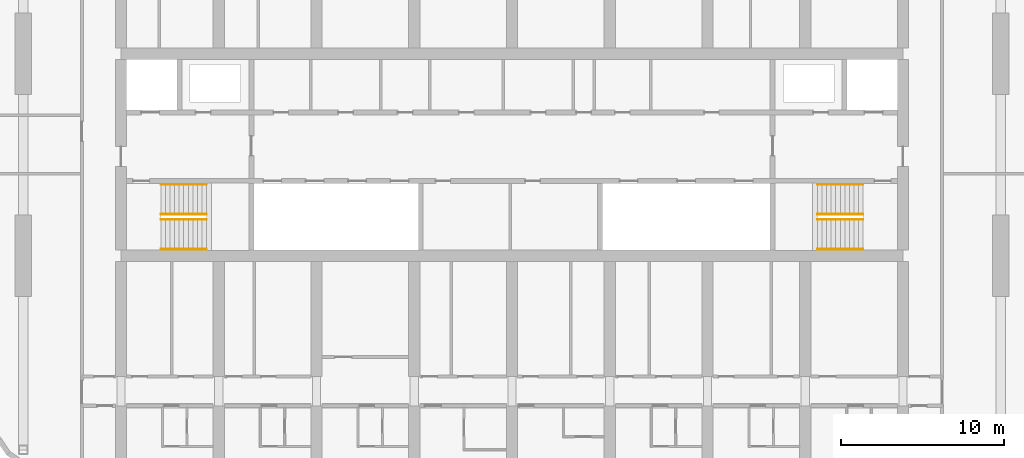
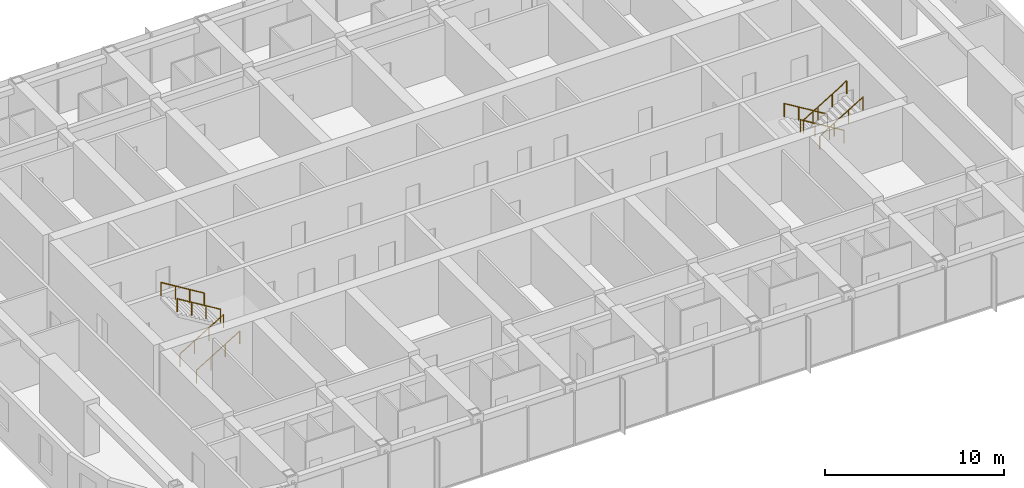
# One storey, part 23 of 23: 8 railings.
"""IFC4 building model written with IfcOpenShell, lengths in metres."""

from ifc_helpers import new_model, si_unit, direction, frame, origin, origin_2d, place, context, subcontext, project, spatial, circle, extrude, material, type_object, element, save


model = new_model("IFC4")

# Units and contexts
model_context = context("Model", 3, precision=1e-05, world=origin(), true_north=direction((0.0, 1.0)))
body_context = subcontext(model_context, "Body", "Model", "MODEL_VIEW")
ifc_project = project(units=[si_unit("LENGTHUNIT", "METRE"), si_unit("AREAUNIT", "SQUARE_METRE"), si_unit("VOLUMEUNIT", "CUBIC_METRE"), si_unit("PLANEANGLEUNIT", "RADIAN"), si_unit("MASSUNIT", "GRAM", prefix="KILO")], contexts=[model_context])

# Site, building, storey
site_placement = place(None, origin())
site = spatial("IfcSite", under=ifc_project, at=site_placement, CompositionType="ELEMENT")
building_placement = place(site_placement, origin())
building = spatial("IfcBuilding", under=site, at=building_placement, Name="Orbita Commons", CompositionType="ELEMENT")
storey_placement = place(building_placement, frame((0.0, 0.0, 254.050048828125)))
storey = spatial("IfcBuildingStorey", under=building, at=storey_placement, Name="L63", CompositionType="ELEMENT", Elevation=254.050048828125)

# Railings
ifc_material = material(Name="Steel tube, painted", Category="steel")
railing_type = type_object("IfcRailingType", Name="Stair handrail steel tube 900", PredefinedType="HANDRAIL", material=ifc_material)
for number, where, name in (
    (1, (20.449951171875, 28.0400390625, 0.17041015625), "Stair S1 handrail L63 flight 1"),
    (2, (20.449951171875, 26.2099609375, 0.17041015625), "Stair S1 handrail L63 flight 1"),
):
    element("IfcRailing", number, at=place(storey_placement, frame(where)), inside=storey, type_object=railing_type, Name=name, PredefinedType="HANDRAIL", context=body_context, shape_type="SweptSolid", body=[
        extrude(circle(Radius=0.02099609375, at=origin_2d()), frame((0.0, 0.0, 0.87890625), z_axis=(0.854169791009, 0.0, 0.51999420009), x_axis=(0.0, 1.0, 0.0)), (0.0, 0.0, 1.0), 3.278076171875),
        extrude(circle(Radius=0.02001953125, at=origin_2d()), origin(), (0.0, 0.0, 1.0), 0.85791015625),
        extrude(circle(Radius=0.02001953125, at=origin_2d()), frame((0.933349609375, 0.0, 0.568115234375)), (0.0, 0.0, 1.0), 0.85791015625),
        extrude(circle(Radius=0.02001953125, at=origin_2d()), frame((1.86669921875, 0.0, 1.136474609375)), (0.0, 0.0, 1.0), 0.85791015625),
        extrude(circle(Radius=0.02001953125, at=origin_2d()), frame((2.800048828125, 0.0, 1.70458984375)), (0.0, 0.0, 1.0), 0.85791015625),
    ])
for number, where, name in (
    (3, (23.25, 28.360107421875, 2.04541015625), "Stair S1 handrail L63 flight 2"),
    (4, (23.25, 30.18994140625, 2.04541015625), "Stair S1 handrail L63 flight 2"),
    (5, (63.550048828125, 28.360107421875, 0.17041015625), "Stair S2 handrail L63 flight 1"),
    (6, (63.550048828125, 30.18994140625, 0.17041015625), "Stair S2 handrail L63 flight 1"),
):
    element("IfcRailing", number, at=place(storey_placement, frame(where)), inside=storey, type_object=railing_type, Name=name, PredefinedType="HANDRAIL", context=body_context, shape_type="SweptSolid", body=[
        extrude(circle(Radius=0.02099609375, at=origin_2d()), frame((0.0, 0.0, 0.87890625), z_axis=(-0.854169791009, 0.0, 0.51999420009), x_axis=(0.0, -1.0, 0.0)), (0.0, 0.0, 1.0), 3.278076171875),
        extrude(circle(Radius=0.02001953125, at=origin_2d()), origin(), (0.0, 0.0, 1.0), 0.85791015625),
        extrude(circle(Radius=0.02001953125, at=origin_2d()), frame((-0.933349609375, 0.0, 0.568115234375)), (0.0, 0.0, 1.0), 0.85791015625),
        extrude(circle(Radius=0.02001953125, at=origin_2d()), frame((-1.86669921875, 0.0, 1.136474609375)), (0.0, 0.0, 1.0), 0.85791015625),
        extrude(circle(Radius=0.02001953125, at=origin_2d()), frame((-2.800048828125, 0.0, 1.70458984375)), (0.0, 0.0, 1.0), 0.85791015625),
    ])
for number, where, name in (
    (7, (60.75, 28.0400390625, 2.04541015625), "Stair S2 handrail L63 flight 2"),
    (8, (60.75, 26.2099609375, 2.04541015625), "Stair S2 handrail L63 flight 2"),
):
    element("IfcRailing", number, at=place(storey_placement, frame(where)), inside=storey, type_object=railing_type, Name=name, PredefinedType="HANDRAIL", context=body_context, shape_type="SweptSolid", body=[
        extrude(circle(Radius=0.02099609375, at=origin_2d()), frame((0.0, 0.0, 0.87890625), z_axis=(0.854169791009, 0.0, 0.51999420009), x_axis=(0.0, 1.0, 0.0)), (0.0, 0.0, 1.0), 3.278076171875),
        extrude(circle(Radius=0.02001953125, at=origin_2d()), origin(), (0.0, 0.0, 1.0), 0.85791015625),
        extrude(circle(Radius=0.02001953125, at=origin_2d()), frame((0.933349609375, 0.0, 0.568115234375)), (0.0, 0.0, 1.0), 0.85791015625),
        extrude(circle(Radius=0.02001953125, at=origin_2d()), frame((1.86669921875, 0.0, 1.136474609375)), (0.0, 0.0, 1.0), 0.85791015625),
        extrude(circle(Radius=0.02001953125, at=origin_2d()), frame((2.800048828125, 0.0, 1.70458984375)), (0.0, 0.0, 1.0), 0.85791015625),
    ])

save(model, "model.ifc")
